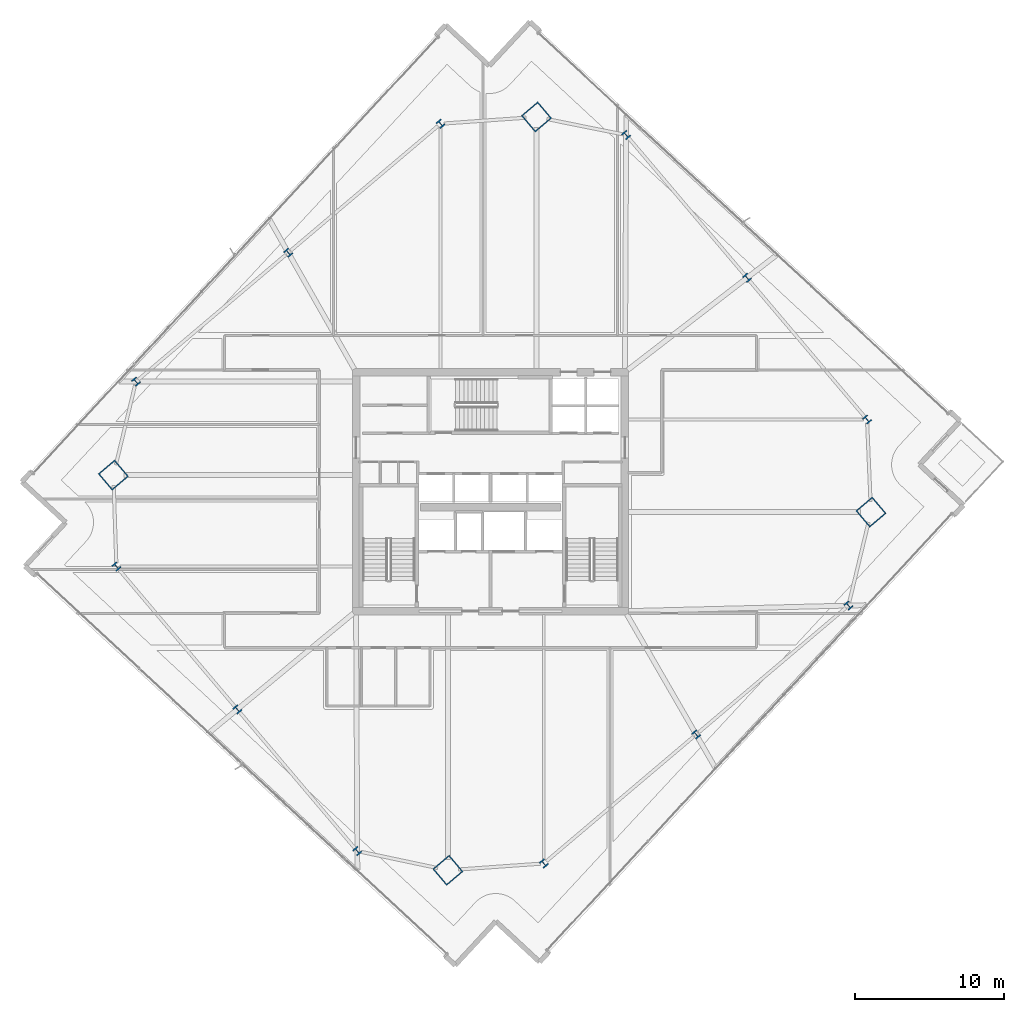
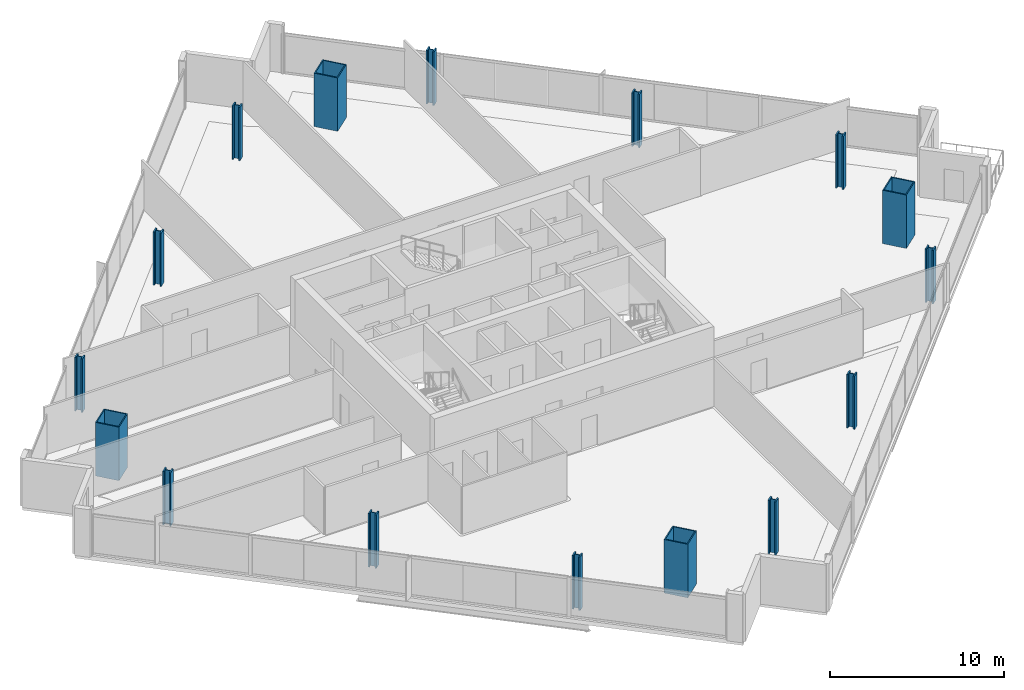
# One storey, part 1 of 32: 16 columns.
"""IFC4 building model written with IfcOpenShell, lengths in metres."""

from ifc_helpers import new_model, si_unit, direction, frame, origin, origin_2d, place, context, subcontext, project, spatial, hollow_rectangle, i_section, extrude, material, material_profile, profile_set, type_object, element, save


model = new_model("IFC4")

# Units and contexts
model_context = context("Model", 3, precision=1e-05, world=origin(), true_north=direction((0.0, 1.0)))
body_context = subcontext(model_context, "Body", "Model", "MODEL_VIEW")
ifc_project = project(units=[si_unit("LENGTHUNIT", "METRE"), si_unit("AREAUNIT", "SQUARE_METRE"), si_unit("VOLUMEUNIT", "CUBIC_METRE"), si_unit("PLANEANGLEUNIT", "RADIAN"), si_unit("MASSUNIT", "GRAM", prefix="KILO")], contexts=[model_context])

# Site, building, storey
site_placement = place(None, origin())
site = spatial("IfcSite", under=ifc_project, at=site_placement, CompositionType="ELEMENT")
building_placement = place(site_placement, origin())
building = spatial("IfcBuilding", under=site, at=building_placement, Name="Haldenkirk Collegiate Tower", CompositionType="ELEMENT")
storey_placement = place(building_placement, frame((0.0, 0.0, 185.699951171875)))
storey = spatial("IfcBuildingStorey", under=building, at=storey_placement, Name="L46", CompositionType="ELEMENT", Elevation=185.699951171875)

# Columns
ifc_material_1 = material(Name="Steel ASTM A913 Grade 65", Category="steel")
ifc_material_profile_1 = material_profile(ifc_material_1, i_section(OverallWidth=0.431884765625, OverallDepth=0.498046875, WebThickness=0.0556640625, FlangeThickness=0.0888671875, at=origin_2d()), Name="W14X500")
ifc_profile_set_1 = profile_set([ifc_material_profile_1], Name="Steel ASTM A913 Grade 65")
column_type_1 = type_object("IfcColumnType", Name="COL-INT-W14X500", PredefinedType="COLUMN", material=ifc_profile_set_1)
for number, where, z_axis, x_axis, name in (
    (1, (39.568603515625, 1.113525390625, 0.0), (0.0, 0.0, 1.0), (0.763232469783, 0.646123979643, 0.0), "L46 perimeter gravity column PC-S1"),
    (2, (49.762451171875, 9.7431640625, 0.0), (0.0, 0.0, 1.0), (0.763232469783, 0.646123979643, 0.0), "L46 perimeter gravity column PC-S2"),
    (3, (59.956298828125, 18.372802734375, 0.0), (0.0, 0.0, 1.0), (0.763232469783, 0.646123979643, 0.0), "L46 perimeter gravity column PC-S3"),
    (4, (61.199462890625, 30.82421875, 0.0), (0.0, 0.0, 1.0), (0.763232469783, 0.646123979643, 0.0), "L46 perimeter gravity column PC-E1"),
    (5, (53.17138671875, 40.307373046875, 0.0), (0.0, 0.0, 1.0), (0.763232469783, 0.646123979643, 0.0), "L46 perimeter gravity column PC-E2"),
    (6, (45.079833984375, 49.865234375, 0.0), (0.0, 0.0, 1.0), (0.763232469783, 0.646123979643, 0.0), "L46 perimeter gravity column PC-E3"),
    (7, (32.657470703125, 50.619384765625, 0.0), (0.0, 0.0, 1.0), (0.763232469783, 0.646123979643, 0.0), "L46 perimeter gravity column PC-N1"),
    (8, (22.463623046875, 41.98974609375, 0.0), (0.0, 0.0, 1.0), (0.763232469783, 0.646123979643, 0.0), "L46 perimeter gravity column PC-N2"),
    (9, (12.27001953125, 33.360107421875, 0.0), (0.0, 0.0, 1.0), (0.763232469783, 0.646123979643, 0.0), "L46 perimeter gravity column PC-N3"),
    (10, (10.96337890625, 20.9833984375, 0.0), (0.0, 0.0, 1.0), (0.763232469783, 0.646123979643, 0.0), "L46 perimeter gravity column PC-W1"),
    (11, (19.0546875, 11.425537109375, 0.0), (0.0, 0.0, 1.0), (0.763232469783, 0.646123979643, 0.0), "L46 perimeter gravity column PC-W2"),
    (12, (27.0830078125, 1.9423828125, 0.0), (0.0, 0.0, 1.0), (0.763232469783, 0.646123979643, 0.0), "L46 perimeter gravity column PC-W3"),
):
    element("IfcColumn", number, at=place(storey_placement, frame(where, z_axis=z_axis, x_axis=x_axis)), inside=storey, type_object=column_type_1, Name=name, PredefinedType="COLUMN", context=body_context, shape_type="SweptSolid", body=[
        extrude(i_section(OverallWidth=0.431884765625, OverallDepth=0.498046875, WebThickness=0.0556640625, FlangeThickness=0.0888671875, at=origin_2d()), origin(), (0.0, 0.0, 1.0), 3.75),
    ])
ifc_material_2 = material(Name="Steel ASTM A572 Grade 50", Category="steel")
ifc_material_profile_2 = material_profile(ifc_material_2, hollow_rectangle(XDim=1.449951171875, YDim=1.449951171875, WallThickness=0.070068359375, at=origin_2d()), Name="BOX1450X1450X70")
ifc_profile_set_2 = profile_set([ifc_material_profile_2], Name="Steel ASTM A572 Grade 50")
column_type_2 = type_object("IfcColumnType", Name="COL-MEGA-BOX1450X1450X70", PredefinedType="COLUMN", material=ifc_profile_set_2)
for number, where, z_axis, x_axis, name in (
    (13, (33.149169921875, 0.65771484375, 0.0), (0.0, 0.0, 1.0), (0.763232469783, 0.646123979643, 0.0), "L46 corner mega-column MC1"),
    (14, (61.465087890625, 24.62890625, 0.0), (0.0, 0.0, 1.0), (0.763232469783, 0.646123979643, 0.0), "L46 corner mega-column MC2"),
    (15, (39.076904296875, 51.074951171875, 0.0), (0.0, 0.0, 1.0), (0.763232469783, 0.646123979643, 0.0), "L46 corner mega-column MC3"),
    (16, (10.760986328125, 27.103759765625, 0.0), (0.0, 0.0, 1.0), (0.763232469783, 0.646123979643, 0.0), "L46 corner mega-column MC4"),
):
    element("IfcColumn", number, at=place(storey_placement, frame(where, z_axis=z_axis, x_axis=x_axis)), inside=storey, type_object=column_type_2, Name=name, PredefinedType="COLUMN", context=body_context, shape_type="SweptSolid", body=[
        extrude(hollow_rectangle(XDim=1.449951171875, YDim=1.449951171875, WallThickness=0.070068359375, at=origin_2d()), origin(), (0.0, 0.0, 1.0), 3.75),
    ])

save(model, "model.ifc")
